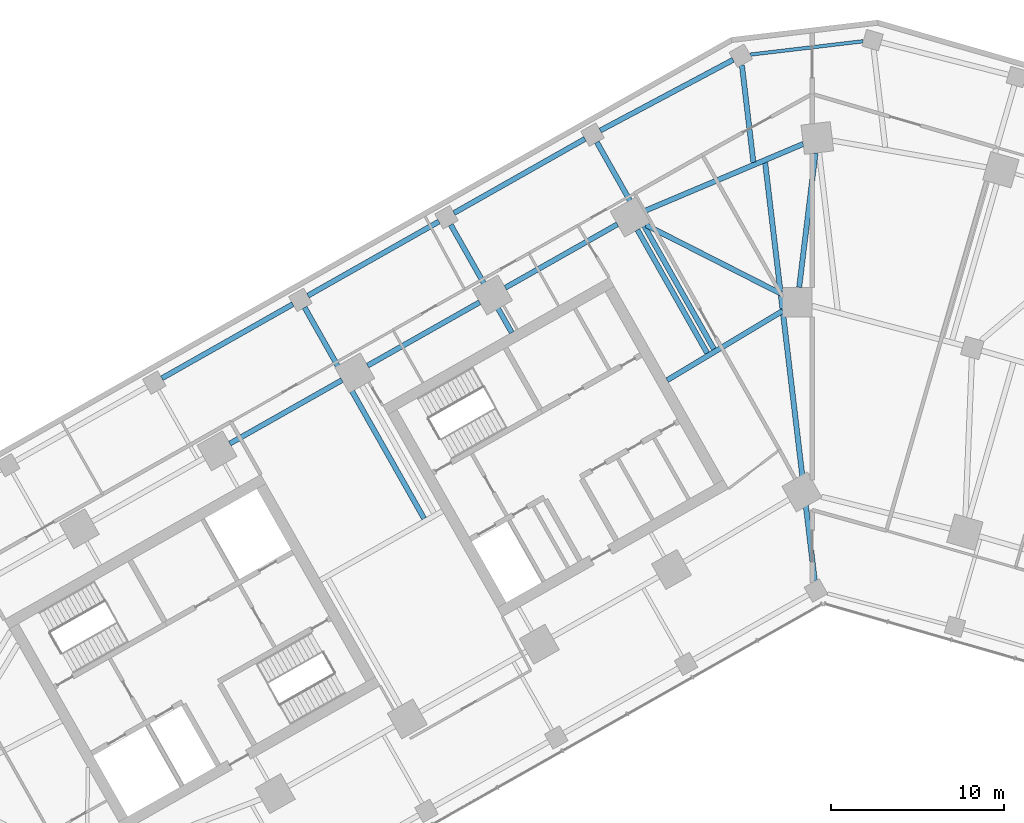
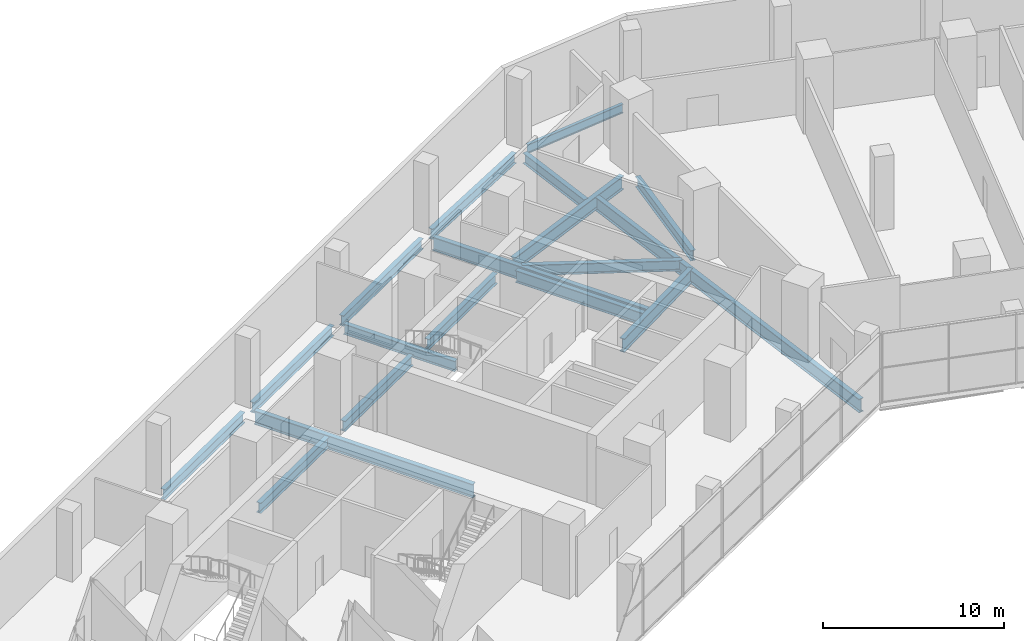
# One storey, part 4 of 16: 18 beams.
"""IFC4 building model written with IfcOpenShell, lengths in metres."""

from ifc_helpers import new_model, si_unit, direction, frame, origin, origin_2d, place, context, subcontext, project, spatial, i_section, extrude, material, material_profile, profile_set, type_object, element, save


model = new_model("IFC4")

# Units and contexts
model_context = context("Model", 3, precision=1e-05, world=origin(), true_north=direction((0.0, 1.0)))
body_context = subcontext(model_context, "Body", "Model", "MODEL_VIEW")
ifc_project = project(units=[si_unit("LENGTHUNIT", "METRE"), si_unit("AREAUNIT", "SQUARE_METRE"), si_unit("VOLUMEUNIT", "CUBIC_METRE"), si_unit("PLANEANGLEUNIT", "RADIAN"), si_unit("MASSUNIT", "GRAM", prefix="KILO")], contexts=[model_context])

# Site, building, storey
site_placement = place(None, origin())
site = spatial("IfcSite", under=ifc_project, at=site_placement, CompositionType="ELEMENT")
building_placement = place(site_placement, origin())
building = spatial("IfcBuilding", under=site, at=building_placement, Name="Binnacle Exchange Tower", CompositionType="ELEMENT")
storey_placement = place(building_placement, frame((0.0, 0.0, 21.5)))
storey = spatial("IfcBuildingStorey", under=building, at=storey_placement, Name="L04", CompositionType="ELEMENT", Elevation=21.5)

# Beams
ifc_material = material(Name="Steel S355 (SHN355)", Category="steel")
ifc_material_profile_1 = material_profile(ifc_material, i_section(OverallWidth=0.200927734375, OverallDepth=0.60595703125, WebThickness=0.011962890625, FlangeThickness=0.02001953125, FilletRadius=0.02197265625, at=origin_2d()), Name="H 606x201x12x20")
ifc_profile_set_1 = profile_set([ifc_material_profile_1], Name="Steel S355 (SHN355)")
beam_type_1 = type_object("IfcBeamType", Name="Edge girder H 606x201x12x20 Steel S355 (SHN355)", PredefinedType="SPANDREL", material=ifc_profile_set_1)
beam_1_placement = place(storey_placement, frame((-3.577392578125, 74.2734375, -0.653076171875), z_axis=(0.993065632937, 0.117561255009, 0.0), x_axis=(-0.117561255009, 0.993065632937, 0.0)))
element("IfcBeam", 1, at=beam_1_placement, inside=storey, type_object=beam_type_1, Name="S:BM:edge:L04:042", PredefinedType="SPANDREL", context=body_context, shape_type="SweptSolid", body=[
    extrude(i_section(OverallWidth=0.200927734375, OverallDepth=0.60595703125, WebThickness=0.011962890625, FlangeThickness=0.02001953125, FilletRadius=0.02197265625, at=origin_2d()), origin(), (0.0, 0.0, 1.0), 6.57080078125),
])
ifc_material_profile_2 = material_profile(ifc_material, i_section(OverallWidth=0.300048828125, OverallDepth=0.699951171875, WebThickness=0.012939453125, FlangeThickness=0.02392578125, FilletRadius=0.028076171875, at=origin_2d()), Name="H 700x300x13x24")
ifc_profile_set_2 = profile_set([ifc_material_profile_2], Name="Steel S355 (SHN355)")
beam_type_2 = type_object("IfcBeamType", Name="Edge girder H 700x300x13x24 Steel S355 (SHN355)", PredefinedType="SPANDREL", material=ifc_profile_set_2)
for number, where, z_axis, x_axis, name in (
    (2, (-37.517333984375, 55.59912109375, -0.699951171875), (0.870339162406, 0.492452781881, 0.0), (-0.492452781881, 0.870339162406, 0.0), "S:BM:edge:L04:026"),
    (3, (-29.089111328125, 60.367919921875, -0.699951171875), (0.870358029477, 0.492419435567, 0.0), (-0.492419435567, 0.870358029477, 0.0), "S:BM:edge:L04:030"),
):
    element("IfcBeam", number, at=place(storey_placement, frame(where, z_axis=z_axis, x_axis=x_axis)), inside=storey, type_object=beam_type_2, Name=name, PredefinedType="SPANDREL", context=body_context, shape_type="SweptSolid", body=[
        extrude(i_section(OverallWidth=0.300048828125, OverallDepth=0.699951171875, WebThickness=0.012939453125, FlangeThickness=0.02392578125, FilletRadius=0.028076171875, at=origin_2d()), origin(), (0.0, 0.0, 1.0), 8.683837890625),
    ])
beam_2_placement = place(storey_placement, frame((-27.12744140625, 55.49169921875, -0.699951171875), z_axis=(-0.870350394687, -0.492432929919, 0.0), x_axis=(0.492432929919, -0.870350394687, 0.0)))
element("IfcBeam", 4, at=beam_2_placement, inside=storey, type_object=beam_type_2, Name="S:BM:edge:L04:031", PredefinedType="SPANDREL", context=body_context, shape_type="SweptSolid", body=[
    extrude(i_section(OverallWidth=0.300048828125, OverallDepth=0.699951171875, WebThickness=0.012939453125, FlangeThickness=0.02392578125, FilletRadius=0.028076171875, at=origin_2d()), origin(), (0.0, 0.0, 1.0), 7.429931640625),
])
beam_3_placement = place(storey_placement, frame((-20.66064453125, 65.136474609375, -0.699951171875), z_axis=(0.870358029477, 0.492419435567, 0.0), x_axis=(-0.492419435567, 0.870358029477, 0.0)))
element("IfcBeam", 5, at=beam_3_placement, inside=storey, type_object=beam_type_2, Name="S:BM:edge:L04:034", PredefinedType="SPANDREL", context=body_context, shape_type="SweptSolid", body=[
    extrude(i_section(OverallWidth=0.300048828125, OverallDepth=0.699951171875, WebThickness=0.012939453125, FlangeThickness=0.02392578125, FilletRadius=0.028076171875, at=origin_2d()), origin(), (0.0, 0.0, 1.0), 8.683837890625),
])
beam_4_placement = place(storey_placement, frame((-19.18115234375, 59.9873046875, -0.699951171875), z_axis=(-0.870364477798, -0.492408037898, 0.0), x_axis=(0.492408037898, -0.870364477798, 0.0)))
element("IfcBeam", 6, at=beam_4_placement, inside=storey, type_object=beam_type_2, Name="S:BM:edge:L04:035", PredefinedType="SPANDREL", context=body_context, shape_type="SweptSolid", body=[
    extrude(i_section(OverallWidth=0.300048828125, OverallDepth=0.699951171875, WebThickness=0.012939453125, FlangeThickness=0.02392578125, FilletRadius=0.028076171875, at=origin_2d()), origin(), (0.0, 0.0, 1.0), 7.4296875),
])
beam_5_placement = place(storey_placement, frame((-12.225830078125, 69.893798828125, -0.699951171875), z_axis=(0.882784358994, 0.469778432365, 0.0), x_axis=(-0.469778432365, 0.882784358994, 0.0)))
element("IfcBeam", 7, at=beam_5_placement, inside=storey, type_object=beam_type_2, Name="S:BM:edge:L04:038", PredefinedType="SPANDREL", context=body_context, shape_type="SweptSolid", body=[
    extrude(i_section(OverallWidth=0.300048828125, OverallDepth=0.699951171875, WebThickness=0.012939453125, FlangeThickness=0.02392578125, FilletRadius=0.028076171875, at=origin_2d()), origin(), (0.0, 0.0, 1.0), 8.686767578125),
])
beam_6_placement = place(storey_placement, frame((-11.23486328125, 64.483154296875, -0.699951171875), z_axis=(-0.870364477798, -0.492408037898, 0.0), x_axis=(0.492408037898, -0.870364477798, 0.0)))
element("IfcBeam", 8, at=beam_6_placement, inside=storey, type_object=beam_type_2, Name="S:BM:edge:L04:039", PredefinedType="SPANDREL", context=body_context, shape_type="SweptSolid", body=[
    extrude(i_section(OverallWidth=0.300048828125, OverallDepth=0.699951171875, WebThickness=0.012939453125, FlangeThickness=0.02392578125, FilletRadius=0.028076171875, at=origin_2d()), origin(), (0.0, 0.0, 1.0), 7.4296875),
])
ifc_material_profile_3 = material_profile(ifc_material, i_section(OverallWidth=0.302978515625, OverallDepth=0.91796875, WebThickness=0.01904296875, FlangeThickness=0.037109375, FilletRadius=0.028076171875, at=origin_2d()), Name="H 918x303x19x37")
ifc_profile_set_3 = profile_set([ifc_material_profile_3], Name="Steel S355 (SHN355)")
beam_type_3 = type_object("IfcBeamType", Name="Edge girder H 918x303x19x37 Steel S355 (SHN355)", PredefinedType="SPANDREL", material=ifc_profile_set_3)
beam_7_placement = place(storey_placement, frame((-0.51513671875, 69.11962890625, -0.80908203125), z_axis=(-0.921111373297, -0.389299162578, 0.0), x_axis=(0.389299162578, -0.921111373297, 0.0)))
element("IfcBeam", 9, at=beam_7_placement, inside=storey, type_object=beam_type_3, Name="S:BM:edge:L04:043", PredefinedType="SPANDREL", context=body_context, shape_type="SweptSolid", body=[
    extrude(i_section(OverallWidth=0.302978515625, OverallDepth=0.91796875, WebThickness=0.01904296875, FlangeThickness=0.037109375, FilletRadius=0.028076171875, at=origin_2d()), origin(), (0.0, 0.0, 1.0), 9.978759765625),
])
ifc_material_profile_4 = material_profile(ifc_material, i_section(OverallWidth=0.300048828125, OverallDepth=0.699951171875, WebThickness=0.012939453125, FlangeThickness=0.02392578125, FilletRadius=0.028076171875, at=origin_2d()), Name="H 700x300x13x24")
ifc_profile_set_4 = profile_set([ifc_material_profile_4], Name="Steel S355 (SHN355)")
beam_type_4 = type_object("IfcBeamType", Name="Floor beam H 700x300x13x24 Steel S355 (SHN355)", PredefinedType="BEAM", material=ifc_profile_set_4)
beam_8_placement = place(storey_placement, frame((-20.849609375, 64.455078125, -0.699951171875), z_axis=(0.492432183245, -0.870350817145, 0.0), x_axis=(0.870350817145, 0.492432183245, 0.0)))
element("IfcBeam", 10, at=beam_8_placement, inside=storey, type_object=beam_type_4, Name="S:BM:cross:L04:094", PredefinedType="BEAM", context=body_context, shape_type="SweptSolid", body=[
    extrude(i_section(OverallWidth=0.300048828125, OverallDepth=0.699951171875, WebThickness=0.012939453125, FlangeThickness=0.02392578125, FilletRadius=0.028076171875, at=origin_2d()), origin(), (0.0, 0.0, 1.0), 7.144287109375),
])
beam_9_placement = place(storey_placement, frame((-4.05224609375, 73.67138671875, -0.699951171875), z_axis=(0.117558403609, -0.993065970488, 0.0), x_axis=(0.993065970488, 0.117558403609, 0.0)))
element("IfcBeam", 11, at=beam_9_placement, inside=storey, type_object=beam_type_4, Name="S:BM:cross:L04:101", PredefinedType="BEAM", context=body_context, shape_type="SweptSolid", body=[
    extrude(i_section(OverallWidth=0.300048828125, OverallDepth=0.699951171875, WebThickness=0.012939453125, FlangeThickness=0.02392578125, FilletRadius=0.028076171875, at=origin_2d()), origin(), (0.0, 0.0, 1.0), 5.648681640625),
])
ifc_material_profile_5 = material_profile(ifc_material, i_section(OverallWidth=0.302001953125, OverallDepth=0.80810546875, WebThickness=0.01611328125, FlangeThickness=0.030029296875, FilletRadius=0.028076171875, at=origin_2d()), Name="H 808x302x16x30")
ifc_profile_set_5 = profile_set([ifc_material_profile_5], Name="Steel S355 (SHN355)")
beam_type_5 = type_object("IfcBeamType", Name="Floor beam H 808x302x16x30 Steel S355 (SHN355)", PredefinedType="BEAM", material=ifc_profile_set_5)
beam_10_placement = place(storey_placement, frame((-10.076416015625, 64.161865234375, -0.75390625), z_axis=(0.492410737926, -0.870362950254, 0.0), x_axis=(0.870362950254, 0.492410737926, 0.0)))
element("IfcBeam", 12, at=beam_10_placement, inside=storey, type_object=beam_type_5, Name="S:BM:cross:L04:098", PredefinedType="BEAM", context=body_context, shape_type="SweptSolid", body=[
    extrude(i_section(OverallWidth=0.302001953125, OverallDepth=0.80810546875, WebThickness=0.01611328125, FlangeThickness=0.030029296875, FilletRadius=0.028076171875, at=origin_2d()), origin(), (0.0, 0.0, 1.0), 8.16943359375),
])
ifc_material_profile_6 = material_profile(ifc_material, i_section(OverallWidth=0.302978515625, OverallDepth=0.91796875, WebThickness=0.01904296875, FlangeThickness=0.037109375, FilletRadius=0.028076171875, at=origin_2d()), Name="H 918x303x19x37")
ifc_profile_set_6 = profile_set([ifc_material_profile_6], Name="Steel S355 (SHN355)")
beam_type_6 = type_object("IfcBeamType", Name="Floor beam H 918x303x19x37 Steel S355 (SHN355)", PredefinedType="BEAM", material=ifc_profile_set_6)
beam_11_placement = place(storey_placement, frame((-29.278076171875, 59.686279296875, -0.80908203125), z_axis=(0.492433176399, -0.870350255232, 0.0), x_axis=(0.870350255232, 0.492433176399, 0.0)))
element("IfcBeam", 13, at=beam_11_placement, inside=storey, type_object=beam_type_6, Name="S:BM:cross:L04:090", PredefinedType="BEAM", context=body_context, shape_type="SweptSolid", body=[
    extrude(i_section(OverallWidth=0.302978515625, OverallDepth=0.91796875, WebThickness=0.01904296875, FlangeThickness=0.037109375, FilletRadius=0.028076171875, at=origin_2d()), origin(), (0.0, 0.0, 1.0), 13.993896484375),
])
beam_12_placement = place(storey_placement, frame((-12.421142578125, 69.223388671875, -0.80908203125), z_axis=(0.492429600636, -0.870352278344, 0.0), x_axis=(0.870352278344, 0.492429600636, 0.0)))
element("IfcBeam", 14, at=beam_12_placement, inside=storey, type_object=beam_type_6, Name="S:BM:cross:L04:097", PredefinedType="BEAM", context=body_context, shape_type="SweptSolid", body=[
    extrude(i_section(OverallWidth=0.302978515625, OverallDepth=0.91796875, WebThickness=0.01904296875, FlangeThickness=0.037109375, FilletRadius=0.028076171875, at=origin_2d()), origin(), (0.0, 0.0, 1.0), 13.718017578125),
])
beam_13_placement = place(storey_placement, frame((0.15478515625, 43.893798828125, -0.80908203125), z_axis=(-0.117868429999, 0.993029220723, 0.0), x_axis=(-0.993029220723, -0.117868429999, 0.0)))
element("IfcBeam", 15, at=beam_13_placement, inside=storey, type_object=beam_type_6, Name="S:BM:cross:L04:102", PredefinedType="BEAM", context=body_context, shape_type="SweptSolid", body=[
    extrude(i_section(OverallWidth=0.302978515625, OverallDepth=0.91796875, WebThickness=0.01904296875, FlangeThickness=0.037109375, FilletRadius=0.028076171875, at=origin_2d()), origin(), (0.0, 0.0, 1.0), 24.310791015625),
])
ifc_material_profile_7 = material_profile(ifc_material, i_section(OverallWidth=0.300048828125, OverallDepth=0.699951171875, WebThickness=0.012939453125, FlangeThickness=0.02392578125, FilletRadius=0.028076171875, at=origin_2d()), Name="H 700x300x13x24")
ifc_profile_set_7 = profile_set([ifc_material_profile_7], Name="Steel S355 (SHN355)")
beam_type_7 = type_object("IfcBeamType", Name="Spine girder H 700x300x13x24 Steel S355 (SHN355)", PredefinedType="BEAM", material=ifc_profile_set_7)
beam_14_placement = place(storey_placement, frame((-0.74658203125, 60.85009765625, -0.699951171875), z_axis=(0.120621974738, 0.992698513755, 0.0), x_axis=(-0.992698513755, 0.120621974738, 0.0)))
element("IfcBeam", 16, at=beam_14_placement, inside=storey, type_object=beam_type_7, Name="S:BM:spine:L04:005", PredefinedType="BEAM", context=body_context, shape_type="SweptSolid", body=[
    extrude(i_section(OverallWidth=0.300048828125, OverallDepth=0.699951171875, WebThickness=0.012939453125, FlangeThickness=0.02392578125, FilletRadius=0.028076171875, at=origin_2d()), origin(), (0.0, 0.0, 1.0), 7.802490234375),
])
ifc_material_profile_8 = material_profile(ifc_material, i_section(OverallWidth=0.302001953125, OverallDepth=0.7080078125, WebThickness=0.014892578125, FlangeThickness=0.028076171875, FilletRadius=0.028076171875, at=origin_2d()), Name="H 708x302x15x28")
ifc_profile_set_8 = profile_set([ifc_material_profile_8], Name="Steel S355 (SHN355)")
beam_type_8 = type_object("IfcBeamType", Name="Spine girder H 708x302x15x28 Steel S355 (SHN355)", PredefinedType="BEAM", material=ifc_profile_set_8)
beam_15_placement = place(storey_placement, frame((-1.699951171875, 60.431884765625, -0.7041015625), z_axis=(-0.891471296315, 0.45307717648, 0.0), x_axis=(-0.45307717648, -0.891471296315, 0.0)))
element("IfcBeam", 17, at=beam_15_placement, inside=storey, type_object=beam_type_8, Name="S:BM:spine:L04:004", PredefinedType="BEAM", context=body_context, shape_type="SweptSolid", body=[
    extrude(i_section(OverallWidth=0.302001953125, OverallDepth=0.7080078125, WebThickness=0.014892578125, FlangeThickness=0.028076171875, FilletRadius=0.028076171875, at=origin_2d()), origin(), (0.0, 0.0, 1.0), 8.845703125),
])
ifc_material_profile_9 = material_profile(ifc_material, i_section(OverallWidth=0.302978515625, OverallDepth=0.91796875, WebThickness=0.01904296875, FlangeThickness=0.037109375, FilletRadius=0.028076171875, at=origin_2d()), Name="H 918x303x19x37")
ifc_profile_set_9 = profile_set([ifc_material_profile_9], Name="Steel S355 (SHN355)")
beam_type_9 = type_object("IfcBeamType", Name="Spine girder H 918x303x19x37 Steel S355 (SHN355)", PredefinedType="BEAM", material=ifc_profile_set_9)
beam_16_placement = place(storey_placement, frame((-8.36328125, 55.489990234375, -0.80908203125), z_axis=(0.857393122678, 0.514662057261, 0.0), x_axis=(-0.514662057261, 0.857393122678, 0.0)))
element("IfcBeam", 18, at=beam_16_placement, inside=storey, type_object=beam_type_9, Name="S:BM:spine:L04:003", PredefinedType="BEAM", context=body_context, shape_type="SweptSolid", body=[
    extrude(i_section(OverallWidth=0.302978515625, OverallDepth=0.91796875, WebThickness=0.01904296875, FlangeThickness=0.037109375, FilletRadius=0.028076171875, at=origin_2d()), origin(), (0.0, 0.0, 1.0), 7.771728515625),
])

save(model, "model.ifc")
